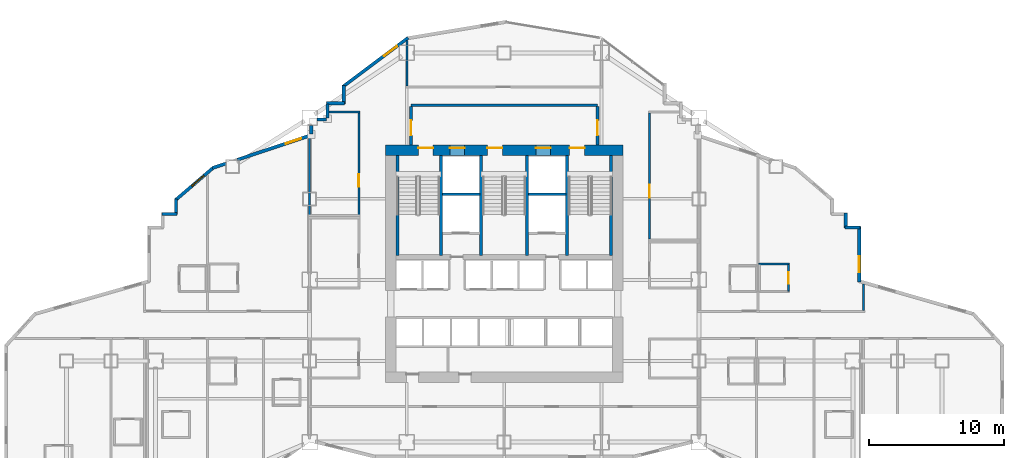
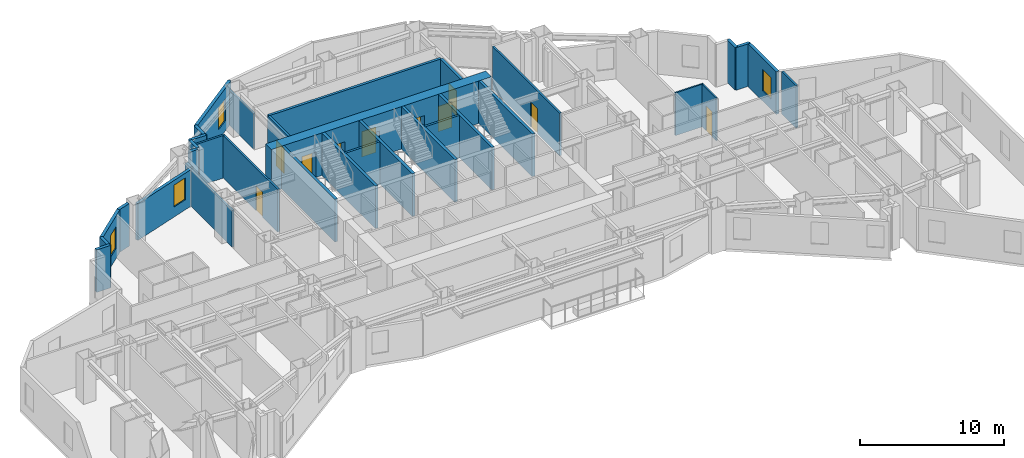
# One storey, part 10 of 17: 34 walls, 10 doors, 4 windows, 14 openings.
"""IFC4 building model written with IfcOpenShell, lengths in metres."""

from ifc_helpers import new_model, si_unit, direction, frame, frame_2d, origin, place, context, subcontext, project, spatial, rectangle, extrude, material, layer, layer_set, type_object, element, fill, save


model = new_model("IFC4")

# Units and contexts
model_context = context("Model", 3, precision=1e-05, world=origin(), true_north=direction((0.0, 1.0)))
body_context = subcontext(model_context, "Body", "Model", "MODEL_VIEW")
ifc_project = project(units=[si_unit("LENGTHUNIT", "METRE"), si_unit("AREAUNIT", "SQUARE_METRE"), si_unit("VOLUMEUNIT", "CUBIC_METRE"), si_unit("PLANEANGLEUNIT", "RADIAN"), si_unit("MASSUNIT", "GRAM", prefix="KILO")], contexts=[model_context])

# Site, building, storey
site_placement = place(None, origin())
site = spatial("IfcSite", under=ifc_project, at=site_placement, CompositionType="ELEMENT")
building_placement = place(site_placement, origin())
building = spatial("IfcBuilding", under=site, at=building_placement, Name="Haolan Belvedere Tower", CompositionType="ELEMENT")
storey_placement = place(building_placement, frame((0.0, 0.0, 59.0)))
storey = spatial("IfcBuildingStorey", under=building, at=storey_placement, Name="L14", CompositionType="ELEMENT", Elevation=59.0)

# Wall, openings, doors
ifc_material_1 = material(Name="Concrete C70/85", Category="concrete")
ifc_layer_1 = layer(ifc_material_1, 0.800048828125, Name="Concrete C70/85")
ifc_layer_set_1 = layer_set([ifc_layer_1], Name="Concrete C70/85")
wall_type_1 = type_object("IfcWallType", Name="WL-CORE-800", PredefinedType="SHEAR", material=ifc_layer_set_1)
wall_1_placement = place(storey_placement, frame((29.60009765625, 43.199951171875, 0.0), z_axis=(0.0, 0.0, 1.0), x_axis=(1.0, 0.0, 0.0)))
wall_1 = element("IfcWall", 1, at=wall_1_placement, inside=storey, type_object=wall_type_1, Name="L14 central core north shear wall", PredefinedType="SHEAR", context=body_context, shape_type="SweptSolid", body=[
    extrude(rectangle(XDim=17.599853515625, YDim=0.800048828125, at=frame_2d((8.7998046875, 0.0))), origin(), (0.0, 0.0, 1.0), 3.60009765625),
])
opening_1_placement = place(wall_1_placement, frame((2.449951171875, 0.0, 0.0)))
opening_1 = element("IfcOpeningElement", 2, at=opening_1_placement, cuts=wall_1, Name="Opening FD-03", PredefinedType="OPENING", context=body_context, shape_type="SweptSolid", body=[
    extrude(rectangle(XDim=1.10009765625, YDim=2.14990234375, at=frame_2d((0.550048828125, 1.074951171875))), frame((0.0, 0.409912109375, 0.0), z_axis=(0.0, -1.0, 0.0), x_axis=(1.0, 0.0, 0.0)), (0.0, 0.0, 1.0), 0.820068359375),
])
opening_2_placement = place(wall_1_placement, frame((7.56005859375, 0.0, 0.0)))
opening_2 = element("IfcOpeningElement", 3, at=opening_2_placement, cuts=wall_1, Name="Opening FD-03", PredefinedType="OPENING", context=body_context, shape_type="SweptSolid", body=[
    extrude(rectangle(XDim=1.10009765625, YDim=2.14990234375, at=frame_2d((0.550048828125, 1.074951171875))), frame((0.0, 0.409912109375, 0.0), z_axis=(0.0, -1.0, 0.0), x_axis=(1.0, 0.0, 0.0)), (0.0, 0.0, 1.0), 0.820068359375),
])
opening_3_placement = place(wall_1_placement, frame((13.64990234375, 0.0, 0.0)))
opening_3 = element("IfcOpeningElement", 4, at=opening_3_placement, cuts=wall_1, Name="Opening FD-03", PredefinedType="OPENING", context=body_context, shape_type="SweptSolid", body=[
    extrude(rectangle(XDim=1.10009765625, YDim=2.14990234375, at=frame_2d((0.550048828125, 1.074951171875))), frame((0.0, 0.409912109375, 0.0), z_axis=(0.0, -1.0, 0.0), x_axis=(1.0, 0.0, 0.0)), (0.0, 0.0, 1.0), 0.820068359375),
])
opening_4_placement = place(wall_1_placement, frame((4.780029296875, 0.0, 0.0)))
opening_4 = element("IfcOpeningElement", 5, at=opening_4_placement, cuts=wall_1, Name="Opening LD-01", PredefinedType="OPENING", context=body_context, shape_type="SweptSolid", body=[
    extrude(rectangle(XDim=1.10009765625, YDim=2.199951171875, at=frame_2d((0.550048828125, 1.10009765625))), frame((0.0, 0.409912109375, 0.0), z_axis=(0.0, -1.0, 0.0), x_axis=(1.0, 0.0, 0.0)), (0.0, 0.0, 1.0), 0.820068359375),
])
opening_5_placement = place(wall_1_placement, frame((11.139892578125, 0.0, 0.0)))
opening_5 = element("IfcOpeningElement", 6, at=opening_5_placement, cuts=wall_1, Name="Opening LD-01", PredefinedType="OPENING", context=body_context, shape_type="SweptSolid", body=[
    extrude(rectangle(XDim=1.10009765625, YDim=2.199951171875, at=frame_2d((0.550048828125, 1.10009765625))), frame((0.0, 0.409912109375, 0.0), z_axis=(0.0, -1.0, 0.0), x_axis=(1.0, 0.0, 0.0)), (0.0, 0.0, 1.0), 0.820068359375),
])
ifc_material_2 = material(Name="Galvanised fire-rated steel", Category="steel")
door_type_1 = type_object("IfcDoorType", Name="DR-FD90-1100", OperationType="NOTDEFINED", PredefinedType="DOOR", material=ifc_material_2)
door_1_placement = place(opening_1_placement, origin())
door_1 = element("IfcDoor", 7, at=door_1_placement, inside=storey, type_object=door_type_1, Name="L14 door CD-L14-ST1", OperationType="SINGLE_SWING_LEFT", OverallHeight=2.14990234375, OverallWidth=1.10009765625, PredefinedType="DOOR", context=body_context, shape_type="SweptSolid", body=[
    extrude(rectangle(XDim=1.10009765625, YDim=2.14990234375, at=frame_2d((0.550048828125, 1.074951171875))), frame((0.0, 0.18505859375, 0.0), z_axis=(0.0, -1.0, 0.0), x_axis=(1.0, 0.0, 0.0)), (0.0, 0.0, 1.0), 0.050048828125),
])
fill(opening_1, door_1)
door_2_placement = place(opening_2_placement, origin())
door_2 = element("IfcDoor", 8, at=door_2_placement, inside=storey, type_object=door_type_1, Name="L14 door CD-L14-ST3", OperationType="SINGLE_SWING_LEFT", OverallHeight=2.14990234375, OverallWidth=1.10009765625, PredefinedType="DOOR", context=body_context, shape_type="SweptSolid", body=[
    extrude(rectangle(XDim=1.10009765625, YDim=2.14990234375, at=frame_2d((0.550048828125, 1.074951171875))), frame((0.0, 0.18505859375, 0.0), z_axis=(0.0, -1.0, 0.0), x_axis=(1.0, 0.0, 0.0)), (0.0, 0.0, 1.0), 0.050048828125),
])
fill(opening_2, door_2)
door_3_placement = place(opening_3_placement, origin())
door_3 = element("IfcDoor", 9, at=door_3_placement, inside=storey, type_object=door_type_1, Name="L14 door CD-L14-ST2", OperationType="SINGLE_SWING_RIGHT", OverallHeight=2.14990234375, OverallWidth=1.10009765625, PredefinedType="DOOR", context=body_context, shape_type="SweptSolid", body=[
    extrude(rectangle(XDim=1.10009765625, YDim=2.14990234375, at=frame_2d((0.550048828125, 1.074951171875))), frame((0.0, 0.18505859375, 0.0), z_axis=(0.0, -1.0, 0.0), x_axis=(1.0, 0.0, 0.0)), (0.0, 0.0, 1.0), 0.050048828125),
])
fill(opening_3, door_3)
ifc_material_3 = material(Name="Brushed champagne stainless steel 316L", Category="steel")
door_type_2 = type_object("IfcDoorType", Name="DR-LIFT-1100", OperationType="SLIDING_TO_LEFT", PredefinedType="DOOR", material=ifc_material_3)
door_4_placement = place(opening_4_placement, origin())
door_4 = element("IfcDoor", 10, at=door_4_placement, inside=storey, type_object=door_type_2, Name="L14 door LD-L14-FF1", OperationType="SLIDING_TO_LEFT", OverallHeight=2.199951171875, OverallWidth=1.10009765625, PredefinedType="DOOR", context=body_context, shape_type="SweptSolid", body=[
    extrude(rectangle(XDim=1.10009765625, YDim=2.199951171875, at=frame_2d((0.550048828125, 1.10009765625))), frame((0.0, 0.18505859375, 0.0), z_axis=(0.0, -1.0, 0.0), x_axis=(1.0, 0.0, 0.0)), (0.0, 0.0, 1.0), 0.050048828125),
])
fill(opening_4, door_4)
door_5_placement = place(opening_5_placement, origin())
door_5 = element("IfcDoor", 11, at=door_5_placement, inside=storey, type_object=door_type_2, Name="L14 door LD-L14-FF2", OperationType="SLIDING_TO_LEFT", OverallHeight=2.199951171875, OverallWidth=1.10009765625, PredefinedType="DOOR", context=body_context, shape_type="SweptSolid", body=[
    extrude(rectangle(XDim=1.10009765625, YDim=2.199951171875, at=frame_2d((0.550048828125, 1.10009765625))), frame((0.0, 0.18505859375, 0.0), z_axis=(0.0, -1.0, 0.0), x_axis=(1.0, 0.0, 0.0)), (0.0, 0.0, 1.0), 0.050048828125),
])
fill(opening_5, door_5)

# Wall, opening, window
ifc_material_4 = material(Name="Precast concrete C40/50", Category="concrete")
ifc_layer_2 = layer(ifc_material_4, 0.239990234375, Name="Precast concrete C40/50")
ifc_layer_set_2 = layer_set([ifc_layer_2], Name="Precast concrete C40/50")
wall_type_2 = type_object("IfcWallType", Name="WL-EXT-240", PredefinedType="SOLIDWALL", material=ifc_layer_set_2)
wall_2_placement = place(storey_placement, frame((64.679931640625, 33.45458984375, 0.0), z_axis=(0.0, 0.0, 1.0), x_axis=(0.0, 1.0, 0.0)))
wall_2 = element("IfcWall", 12, at=wall_2_placement, inside=storey, type_object=wall_type_2, Name="L14 pale-metal exterior spandrel wall 29.1", PredefinedType="SOLIDWALL", context=body_context, shape_type="SweptSolid", body=[
    extrude(rectangle(XDim=4.080322265625, YDim=0.239990234375, at=frame_2d((2.0400390625, 0.0))), origin(), (0.0, 0.0, 1.0), 3.60009765625),
])
opening_6_placement = place(wall_2_placement, frame((0.699951171875, 0.0, 0.85009765625)))
opening_6 = element("IfcOpeningElement", 13, at=opening_6_placement, cuts=wall_2, Name="Opening W-01", PredefinedType="OPENING", context=body_context, shape_type="SweptSolid", body=[
    extrude(rectangle(XDim=1.199951171875, YDim=1.85009765625, at=frame_2d((0.60009765625, 0.925048828125))), frame((0.0, 0.1298828125, 0.0), z_axis=(0.0, -1.0, 0.0), x_axis=(1.0, 0.0, 0.0)), (0.0, 0.0, 1.0), 0.260009765625),
])
ifc_material_5 = material(Name="Anodised aluminium 6063-T6 and Low-E glass", Category="aluminium")
window_type = type_object("IfcWindowType", Name="WN-DECO-Z1", PartitioningType="SINGLE_PANEL", PredefinedType="WINDOW", material=ifc_material_5)
window_1_placement = place(opening_6_placement, origin())
window_1 = element("IfcWindow", 14, at=window_1_placement, inside=storey, type_object=window_type, Name="L14 Art Deco chevron window 1", OverallHeight=1.85009765625, OverallWidth=1.199951171875, PartitioningType="SINGLE_PANEL", PredefinedType="WINDOW", context=body_context, shape_type="SweptSolid", body=[
    extrude(rectangle(XDim=1.199951171875, YDim=1.85009765625, at=frame_2d((0.60009765625, 0.925048828125))), frame((0.0, 0.030029296875, 0.0), z_axis=(0.0, -1.0, 0.0), x_axis=(1.0, 0.0, 0.0)), (0.0, 0.0, 1.0), 0.06005859375),
])
fill(opening_6, window_1)

# Walls
wall_3_placement = place(storey_placement, frame((64.735107421875, 37.47998046875, 0.0), z_axis=(0.0, 0.0, 1.0), x_axis=(-1.0, 0.0, 0.0)))
element("IfcWall", 15, at=wall_3_placement, inside=storey, type_object=wall_type_2, Name="L14 pale-metal exterior spandrel wall 30.1", PredefinedType="SOLIDWALL", context=body_context, shape_type="SweptSolid", body=[
    extrude(rectangle(XDim=1.110107421875, YDim=0.239990234375, at=frame_2d((0.55517578125, 0.0))), origin(), (0.0, 0.0, 1.0), 3.60009765625),
])
wall_4_placement = place(storey_placement, frame((63.679931640625, 37.425048828125, 0.0), z_axis=(0.0, 0.0, 1.0), x_axis=(0.0, 1.0, 0.0)))
element("IfcWall", 16, at=wall_4_placement, inside=storey, type_object=wall_type_2, Name="L14 pale-metal exterior spandrel wall 31.1", PredefinedType="SOLIDWALL", context=body_context, shape_type="SweptSolid", body=[
    extrude(rectangle(XDim=1.10986328125, YDim=0.239990234375, at=frame_2d((0.554931640625, 0.0))), origin(), (0.0, 0.0, 1.0), 3.60009765625),
])

# Wall, opening, window
wall_5_placement = place(storey_placement, frame((31.29248046875, 51.519287109375, 0.0), z_axis=(0.0, 0.0, 1.0), x_axis=(-0.8, -0.6, 0.0)))
wall_5 = element("IfcWall", 17, at=wall_5_placement, inside=storey, type_object=wall_type_2, Name="L14 pale-metal exterior spandrel wall 44.1", PredefinedType="SOLIDWALL", context=body_context, shape_type="SweptSolid", body=[
    extrude(rectangle(XDim=6.0205078125, YDim=0.239990234375, at=frame_2d((3.01025390625, 0.0))), origin(), (0.0, 0.0, 1.0), 3.60009765625),
])
opening_7_placement = place(wall_5_placement, frame((1.047119140625, 0.0, 0.85009765625)))
opening_7 = element("IfcOpeningElement", 18, at=opening_7_placement, cuts=wall_5, Name="Opening W-01", PredefinedType="OPENING", context=body_context, shape_type="SweptSolid", body=[
    extrude(rectangle(XDim=1.199951171875, YDim=1.85009765625, at=frame_2d((0.60009765625, 0.925048828125))), frame((0.0, 0.1298828125, 0.0), z_axis=(0.0, -1.0, 0.0), x_axis=(1.0, 0.0, 0.0)), (0.0, 0.0, 1.0), 0.260009765625),
])
window_2_placement = place(opening_7_placement, origin())
window_2 = element("IfcWindow", 19, at=window_2_placement, inside=storey, type_object=window_type, Name="L14 Art Deco chevron window 1", OverallHeight=1.85009765625, OverallWidth=1.199951171875, PartitioningType="SINGLE_PANEL", PredefinedType="WINDOW", context=body_context, shape_type="SweptSolid", body=[
    extrude(rectangle(XDim=1.199951171875, YDim=1.85009765625, at=frame_2d((0.60009765625, 0.925048828125))), frame((0.0, 0.030029296875, 0.0), z_axis=(0.0, -1.0, 0.0), x_axis=(1.0, 0.0, 0.0)), (0.0, 0.0, 1.0), 0.06005859375),
])
fill(opening_7, window_2)

# Walls
wall_6_placement = place(storey_placement, frame((26.52001953125, 47.9951171875, 0.0), z_axis=(0.0, 0.0, 1.0), x_axis=(0.0, -1.0, 0.0)))
element("IfcWall", 20, at=wall_6_placement, inside=storey, type_object=wall_type_2, Name="L14 pale-metal exterior spandrel wall 45.1", PredefinedType="SOLIDWALL", context=body_context, shape_type="SweptSolid", body=[
    extrude(rectangle(XDim=1.3701171875, YDim=0.239990234375, at=frame_2d((0.68505859375, 0.0))), origin(), (0.0, 0.0, 1.0), 3.60009765625),
])
wall_7_placement = place(storey_placement, frame((26.574951171875, 46.679931640625, 0.0), z_axis=(0.0, 0.0, 1.0), x_axis=(-1.0, 0.0, 0.0)))
element("IfcWall", 21, at=wall_7_placement, inside=storey, type_object=wall_type_2, Name="L14 pale-metal exterior spandrel wall 46.1", PredefinedType="SOLIDWALL", context=body_context, shape_type="SweptSolid", body=[
    extrude(rectangle(XDim=1.31005859375, YDim=0.239990234375, at=frame_2d((0.655029296875, 0.0))), origin(), (0.0, 0.0, 1.0), 3.60009765625),
])
wall_8_placement = place(storey_placement, frame((25.320068359375, 46.614990234375, 0.0), z_axis=(0.0, 0.0, 1.0), x_axis=(0.0, -1.0, 0.0)))
element("IfcWall", 22, at=wall_8_placement, inside=storey, type_object=wall_type_2, Name="L14 pale-metal exterior spandrel wall 47.1", PredefinedType="SOLIDWALL", context=body_context, shape_type="SweptSolid", body=[
    extrude(rectangle(XDim=1.050048828125, YDim=0.239990234375, at=frame_2d((0.52490234375, 0.0))), origin(), (0.0, 0.0, 1.0), 3.60009765625),
])
wall_9_placement = place(storey_placement, frame((25.235107421875, 45.47998046875, 0.0), z_axis=(0.0, 0.0, 1.0), x_axis=(-1.0, 0.0, 0.0)))
element("IfcWall", 23, at=wall_9_placement, inside=storey, type_object=wall_type_2, Name="L14 pale-metal exterior spandrel wall 48.1", PredefinedType="SOLIDWALL", context=body_context, shape_type="SweptSolid", body=[
    extrude(rectangle(XDim=0.668212890625, YDim=0.239990234375, at=frame_2d((0.333984375, 0.0))), origin(), (0.0, 0.0, 1.0), 3.60009765625),
])
wall_10_placement = place(storey_placement, frame((24.1201171875, 45.032958984375, 0.0), z_axis=(0.0, 0.0, 1.0), x_axis=(0.0, -1.0, 0.0)))
element("IfcWall", 24, at=wall_10_placement, inside=storey, type_object=wall_type_2, Name="L14 pale-metal exterior spandrel wall 49.1", PredefinedType="SOLIDWALL", context=body_context, shape_type="SweptSolid", body=[
    extrude(rectangle(XDim=0.634521484375, YDim=0.239990234375, at=frame_2d((0.3173828125, 0.0))), origin(), (0.0, 0.0, 1.0), 3.096923828125),
])

# Wall, opening, window
wall_11_placement = place(storey_placement, frame((24.039306640625, 44.28662109375, 0.0), z_axis=(0.0, 0.0, 1.0), x_axis=(-0.948678995954, -0.316240672014, 0.0)))
wall_11 = element("IfcWall", 25, at=wall_11_placement, inside=storey, type_object=wall_type_2, Name="L14 pale-metal exterior spandrel wall 50.1", PredefinedType="SOLIDWALL", context=body_context, shape_type="SweptSolid", body=[
    extrude(rectangle(XDim=5.675048828125, YDim=0.239990234375, at=frame_2d((2.83740234375, 0.0))), origin(), (0.0, 0.0, 1.0), 3.096923828125),
])
opening_8_placement = place(wall_11_placement, frame((0.699951171875, 0.0, 0.85009765625)))
opening_8 = element("IfcOpeningElement", 26, at=opening_8_placement, cuts=wall_11, Name="Opening W-01", PredefinedType="OPENING", context=body_context, shape_type="SweptSolid", body=[
    extrude(rectangle(XDim=1.199951171875, YDim=1.85009765625, at=frame_2d((0.60009765625, 0.925048828125))), frame((0.0, 0.1298828125, 0.0), z_axis=(0.0, -1.0, 0.0), x_axis=(1.0, 0.0, 0.0)), (0.0, 0.0, 1.0), 0.260009765625),
])
window_3_placement = place(opening_8_placement, origin())
window_3 = element("IfcWindow", 27, at=window_3_placement, inside=storey, type_object=window_type, Name="L14 Art Deco chevron window 1", OverallHeight=1.85009765625, OverallWidth=1.199951171875, PartitioningType="SINGLE_PANEL", PredefinedType="WINDOW", context=body_context, shape_type="SweptSolid", body=[
    extrude(rectangle(XDim=1.199951171875, YDim=1.85009765625, at=frame_2d((0.60009765625, 0.925048828125))), frame((0.0, 0.030029296875, 0.0), z_axis=(0.0, -1.0, 0.0), x_axis=(1.0, 0.0, 0.0)), (0.0, 0.0, 1.0), 0.06005859375),
])
fill(opening_8, window_3)

# Wall
wall_12_placement = place(storey_placement, frame((17.80810546875, 42.20947265625, 0.0), z_axis=(0.0, 0.0, 1.0), x_axis=(-0.948706457285, -0.316158279832, 0.0)))
element("IfcWall", 28, at=wall_12_placement, inside=storey, type_object=wall_type_2, Name="L14 pale-metal exterior spandrel wall 50.2", PredefinedType="SOLIDWALL", context=body_context, shape_type="SweptSolid", body=[
    extrude(rectangle(XDim=1.053955078125, YDim=0.239990234375, at=frame_2d((0.52685546875, 0.0))), origin(), (0.0, 0.0, 1.0), 3.60009765625),
])

# Wall, opening, window
wall_13_placement = place(storey_placement, frame((16.902099609375, 41.929443359375, 0.0), z_axis=(0.0, 0.0, 1.0), x_axis=(-0.759275136126, -0.650769750112, 0.0)))
wall_13 = element("IfcWall", 29, at=wall_13_placement, inside=storey, type_object=wall_type_2, Name="L14 pale-metal exterior spandrel wall 51.1", PredefinedType="SOLIDWALL", context=body_context, shape_type="SweptSolid", body=[
    extrude(rectangle(XDim=3.71923828125, YDim=0.239990234375, at=frame_2d((1.859619140625, 0.0))), origin(), (0.0, 0.0, 1.0), 3.60009765625),
])
opening_9_placement = place(wall_13_placement, frame((0.93359375, 0.0, 0.85009765625)))
opening_9 = element("IfcOpeningElement", 30, at=opening_9_placement, cuts=wall_13, Name="Opening W-01", PredefinedType="OPENING", context=body_context, shape_type="SweptSolid", body=[
    extrude(rectangle(XDim=1.199951171875, YDim=1.85009765625, at=frame_2d((0.60009765625, 0.925048828125))), frame((0.0, 0.1298828125, 0.0), z_axis=(0.0, -1.0, 0.0), x_axis=(1.0, 0.0, 0.0)), (0.0, 0.0, 1.0), 0.260009765625),
])
window_4_placement = place(opening_9_placement, origin())
window_4 = element("IfcWindow", 31, at=window_4_placement, inside=storey, type_object=window_type, Name="L14 Art Deco chevron window 1", OverallHeight=1.85009765625, OverallWidth=1.199951171875, PartitioningType="SINGLE_PANEL", PredefinedType="WINDOW", context=body_context, shape_type="SweptSolid", body=[
    extrude(rectangle(XDim=1.199951171875, YDim=1.85009765625, at=frame_2d((0.60009765625, 0.925048828125))), frame((0.0, 0.030029296875, 0.0), z_axis=(0.0, -1.0, 0.0), x_axis=(1.0, 0.0, 0.0)), (0.0, 0.0, 1.0), 0.06005859375),
])
fill(opening_9, window_4)

# Walls
wall_14_placement = place(storey_placement, frame((14.1201171875, 39.599853515625, 0.0), z_axis=(0.0, 0.0, 1.0), x_axis=(0.0, -1.0, 0.0)))
element("IfcWall", 32, at=wall_14_placement, inside=storey, type_object=wall_type_2, Name="L14 pale-metal exterior spandrel wall 52.1", PredefinedType="SOLIDWALL", context=body_context, shape_type="SweptSolid", body=[
    extrude(rectangle(XDim=1.1748046875, YDim=0.239990234375, at=frame_2d((0.58740234375, 0.0))), origin(), (0.0, 0.0, 1.0), 3.60009765625),
])
wall_15_placement = place(storey_placement, frame((14.175048828125, 38.47998046875, 0.0), z_axis=(0.0, 0.0, 1.0), x_axis=(-1.0, 0.0, 0.0)))
element("IfcWall", 33, at=wall_15_placement, inside=storey, type_object=wall_type_2, Name="L14 pale-metal exterior spandrel wall 53.1", PredefinedType="SOLIDWALL", context=body_context, shape_type="SweptSolid", body=[
    extrude(rectangle(XDim=1.110107421875, YDim=0.239990234375, at=frame_2d((0.55517578125, 0.0))), origin(), (0.0, 0.0, 1.0), 3.60009765625),
])
ifc_material_6 = material(Name="Concrete C40/50", Category="concrete")
ifc_layer_3 = layer(ifc_material_6, 0.199951171875, Name="Concrete C40/50")
ifc_layer_set_3 = layer_set([ifc_layer_3], Name="Concrete C40/50")
wall_type_3 = type_object("IfcWallType", Name="WL-FIRE-200", PredefinedType="SOLIDWALL", material=ifc_layer_set_3)
wall_16_placement = place(storey_placement, frame((31.5, 46.52001953125, 0.0), z_axis=(0.0, 0.0, 1.0), x_axis=(1.0, 0.0, 0.0)))
element("IfcWall", 34, at=wall_16_placement, inside=storey, type_object=wall_type_3, Name="L14 interior partition IW-L14-FFL-N", PredefinedType="SOLIDWALL", context=body_context, shape_type="SweptSolid", body=[
    extrude(rectangle(XDim=13.800048828125, YDim=0.199951171875, at=frame_2d((6.89990234375, 0.0))), origin(), (0.0, 0.0, 1.0), 3.60009765625),
])

# Wall, opening, door
wall_17_placement = place(storey_placement, frame((31.5, 43.60009765625, 0.0), z_axis=(0.0, 0.0, 1.0), x_axis=(0.0, 1.0, 0.0)))
wall_17 = element("IfcWall", 35, at=wall_17_placement, inside=storey, type_object=wall_type_3, Name="L14 interior partition IW-L14-FFL-W", PredefinedType="SOLIDWALL", context=body_context, shape_type="SweptSolid", body=[
    extrude(rectangle(XDim=2.8349609375, YDim=0.199951171875, at=frame_2d((1.41748046875, 0.0))), origin(), (0.0, 0.0, 1.0), 3.60009765625),
])
opening_10_placement = place(wall_17_placement, frame((1.800048828125, 0.0, 0.0), z_axis=(0.0, 0.0, 1.0), x_axis=(-1.0, 0.0, 0.0)))
opening_10 = element("IfcOpeningElement", 36, at=opening_10_placement, cuts=wall_17, Name="Opening FD-03", PredefinedType="OPENING", context=body_context, shape_type="SweptSolid", body=[
    extrude(rectangle(XDim=1.10009765625, YDim=2.14990234375, at=frame_2d((0.550048828125, 1.074951171875))), frame((0.0, 0.10986328125, 0.0), z_axis=(0.0, -1.0, 0.0), x_axis=(1.0, 0.0, 0.0)), (0.0, 0.0, 1.0), 0.219970703125),
])
door_6_placement = place(opening_10_placement, origin())
door_6 = element("IfcDoor", 37, at=door_6_placement, inside=storey, type_object=door_type_1, Name="L14 door ID-L14-FFL-DW", OperationType="SINGLE_SWING_LEFT", OverallHeight=2.14990234375, OverallWidth=1.10009765625, PredefinedType="DOOR", context=body_context, shape_type="SweptSolid", body=[
    extrude(rectangle(XDim=1.10009765625, YDim=2.14990234375, at=frame_2d((0.550048828125, 1.074951171875))), frame((0.0, 0.02490234375, 0.0), z_axis=(0.0, -1.0, 0.0), x_axis=(1.0, 0.0, 0.0)), (0.0, 0.0, 1.0), 0.050048828125),
])
fill(opening_10, door_6)

wall_18_placement = place(storey_placement, frame((45.300048828125, 43.60009765625, 0.0), z_axis=(0.0, 0.0, 1.0), x_axis=(0.0, 1.0, 0.0)))
wall_18 = element("IfcWall", 38, at=wall_18_placement, inside=storey, type_object=wall_type_3, Name="L14 interior partition IW-L14-FFL-E", PredefinedType="SOLIDWALL", context=body_context, shape_type="SweptSolid", body=[
    extrude(rectangle(XDim=2.8349609375, YDim=0.199951171875, at=frame_2d((1.41748046875, 0.0))), origin(), (0.0, 0.0, 1.0), 3.60009765625),
])
opening_11_placement = place(wall_18_placement, frame((0.699951171875, 0.0, 0.0)))
opening_11 = element("IfcOpeningElement", 39, at=opening_11_placement, cuts=wall_18, Name="Opening FD-03", PredefinedType="OPENING", context=body_context, shape_type="SweptSolid", body=[
    extrude(rectangle(XDim=1.10009765625, YDim=2.14990234375, at=frame_2d((0.550048828125, 1.074951171875))), frame((0.0, 0.10986328125, 0.0), z_axis=(0.0, -1.0, 0.0), x_axis=(1.0, 0.0, 0.0)), (0.0, 0.0, 1.0), 0.219970703125),
])
door_7_placement = place(opening_11_placement, origin())
door_7 = element("IfcDoor", 40, at=door_7_placement, inside=storey, type_object=door_type_1, Name="L14 door ID-L14-FFL-DE", OperationType="SINGLE_SWING_RIGHT", OverallHeight=2.14990234375, OverallWidth=1.10009765625, PredefinedType="DOOR", context=body_context, shape_type="SweptSolid", body=[
    extrude(rectangle(XDim=1.10009765625, YDim=2.14990234375, at=frame_2d((0.550048828125, 1.074951171875))), frame((0.0, 0.02490234375, 0.0), z_axis=(0.0, -1.0, 0.0), x_axis=(1.0, 0.0, 0.0)), (0.0, 0.0, 1.0), 0.050048828125),
])
fill(opening_11, door_7)

# Walls
ifc_material_7 = material(Name="Double gypsum acoustic stud partition", Category="masonry")
ifc_layer_4 = layer(ifc_material_7, 0.14990234375, Name="Double gypsum acoustic stud partition")
ifc_layer_set_4 = layer_set([ifc_layer_4], Name="Double gypsum acoustic stud partition")
wall_type_4 = type_object("IfcWallType", Name="WL-PART-150", PredefinedType="PARTITIONING", material=ifc_layer_set_4)
wall_19_placement = place(storey_placement, frame((25.425048828125, 46.02001953125, 0.0), z_axis=(0.0, 0.0, 1.0), x_axis=(1.0, 0.0, 0.0)))
element("IfcWall", 41, at=wall_19_placement, inside=storey, type_object=wall_type_4, Name="L14 interior partition IW-L14-VLT-N", PredefinedType="PARTITIONING", context=body_context, shape_type="SweptSolid", body=[
    extrude(rectangle(XDim=2.294921875, YDim=0.14990234375, at=frame_2d((1.1474609375, 0.0))), origin(), (0.0, 0.0, 1.0), 3.60009765625),
])
wall_20_placement = place(storey_placement, frame((24.0, 38.419921875, 0.0), z_axis=(0.0, 0.0, 1.0), x_axis=(0.0, 1.0, 0.0)))
element("IfcWall", 42, at=wall_20_placement, inside=storey, type_object=wall_type_4, Name="L14 interior partition IW-L14-VLT-W", PredefinedType="PARTITIONING", context=body_context, shape_type="SweptSolid", body=[
    extrude(rectangle(XDim=5.742919921875, YDim=0.14990234375, at=frame_2d((2.87158203125, 0.0))), origin(), (0.0, 0.0, 1.0), 3.096923828125),
])

# Wall, opening, door
wall_21_placement = place(storey_placement, frame((27.639892578125, 38.419921875, 0.0), z_axis=(0.0, 0.0, 1.0), x_axis=(0.0, 1.0, 0.0)))
wall_21 = element("IfcWall", 43, at=wall_21_placement, inside=storey, type_object=wall_type_4, Name="L14 interior partition IW-L14-VLT-E", PredefinedType="PARTITIONING", context=body_context, shape_type="SweptSolid", body=[
    extrude(rectangle(XDim=7.5400390625, YDim=0.14990234375, at=frame_2d((3.77001953125, 0.0))), origin(), (0.0, 0.0, 1.0), 3.60009765625),
])
opening_12_placement = place(wall_21_placement, frame((3.010009765625, 0.0, 0.0), z_axis=(0.0, 0.0, 1.0), x_axis=(-1.0, 0.0, 0.0)))
opening_12 = element("IfcOpeningElement", 44, at=opening_12_placement, cuts=wall_21, Name="Opening ID-03", PredefinedType="OPENING", context=body_context, shape_type="SweptSolid", body=[
    extrude(rectangle(XDim=0.949951171875, YDim=2.1201171875, at=frame_2d((0.47509765625, 1.06005859375))), frame((0.0, 0.0849609375, 0.0), z_axis=(0.0, -1.0, 0.0), x_axis=(1.0, 0.0, 0.0)), (0.0, 0.0, 1.0), 0.169921875),
])
ifc_material_8 = material(Name="Painted solid-core timber", Category="wood")
door_type_3 = type_object("IfcDoorType", Name="DR-INT-950", OperationType="NOTDEFINED", PredefinedType="DOOR", material=ifc_material_8)
door_8_placement = place(opening_12_placement, origin())
door_8 = element("IfcDoor", 45, at=door_8_placement, inside=storey, type_object=door_type_3, Name="L14 door ID-L14-VLT", OperationType="SINGLE_SWING_RIGHT", OverallHeight=2.1201171875, OverallWidth=0.949951171875, PredefinedType="DOOR", context=body_context, shape_type="SweptSolid", body=[
    extrude(rectangle(XDim=0.949951171875, YDim=2.1201171875, at=frame_2d((0.47509765625, 1.06005859375))), frame((0.0, 0.02490234375, 0.0), z_axis=(0.0, -1.0, 0.0), x_axis=(1.0, 0.0, 0.0)), (0.0, 0.0, 1.0), 0.050048828125),
])
fill(opening_12, door_8)

wall_22_placement = place(storey_placement, frame((49.159912109375, 36.6201171875, 0.0), z_axis=(0.0, 0.0, 1.0), x_axis=(0.0, 1.0, 0.0)))
wall_22 = element("IfcWall", 46, at=wall_22_placement, inside=storey, type_object=wall_type_4, Name="L14 interior partition IW-L14-SAL-W", PredefinedType="PARTITIONING", context=body_context, shape_type="SweptSolid", body=[
    extrude(rectangle(XDim=9.33984375, YDim=0.14990234375, at=frame_2d((4.669921875, 0.0))), origin(), (0.0, 0.0, 1.0), 3.60009765625),
])
opening_13_placement = place(wall_22_placement, frame((3.06005859375, 0.0, 0.0)))
opening_13 = element("IfcOpeningElement", 47, at=opening_13_placement, cuts=wall_22, Name="Opening ID-03", PredefinedType="OPENING", context=body_context, shape_type="SweptSolid", body=[
    extrude(rectangle(XDim=0.949951171875, YDim=2.1201171875, at=frame_2d((0.47509765625, 1.06005859375))), frame((0.0, 0.0849609375, 0.0), z_axis=(0.0, -1.0, 0.0), x_axis=(1.0, 0.0, 0.0)), (0.0, 0.0, 1.0), 0.169921875),
])
door_9_placement = place(opening_13_placement, origin())
door_9 = element("IfcDoor", 48, at=door_9_placement, inside=storey, type_object=door_type_3, Name="L14 door ID-L14-SAL", OperationType="SINGLE_SWING_LEFT", OverallHeight=2.1201171875, OverallWidth=0.949951171875, PredefinedType="DOOR", context=body_context, shape_type="SweptSolid", body=[
    extrude(rectangle(XDim=0.949951171875, YDim=2.1201171875, at=frame_2d((0.47509765625, 1.06005859375))), frame((0.0, 0.02490234375, 0.0), z_axis=(0.0, -1.0, 0.0), x_axis=(1.0, 0.0, 0.0)), (0.0, 0.0, 1.0), 0.050048828125),
])
fill(opening_13, door_9)

# Walls
wall_23_placement = place(storey_placement, frame((31.199951171875, 47.93994140625, 0.0), z_axis=(0.0, 0.0, 1.0), x_axis=(0.0, 1.0, 0.0)))
element("IfcWall", 49, at=wall_23_placement, inside=storey, type_object=wall_type_4, Name="L14 interior partition IW-L14-KN2-W", PredefinedType="PARTITIONING", context=body_context, shape_type="SweptSolid", body=[
    extrude(rectangle(XDim=3.378662109375, YDim=0.14990234375, at=frame_2d((1.689453125, 0.0))), origin(), (0.0, 0.0, 1.0), 2.985107421875),
])
wall_24_placement = place(storey_placement, frame((65.0, 31.340087890625, 0.0), z_axis=(0.0, 0.0, 1.0), x_axis=(0.0, 1.0, 0.0)))
element("IfcWall", 50, at=wall_24_placement, inside=storey, type_object=wall_type_4, Name="L14 interior partition IW-L14-T4N2-E", PredefinedType="PARTITIONING", context=body_context, shape_type="SweptSolid", body=[
    extrude(rectangle(XDim=1.968505859375, YDim=0.14990234375, at=frame_2d((0.984375, 0.0))), origin(), (0.0, 0.0, 1.0), 3.60009765625),
])
ifc_layer_5 = layer(ifc_material_4, 0.179931640625, Name="Precast concrete C40/50")
ifc_layer_set_5 = layer_set([ifc_layer_5], Name="Precast concrete C40/50")
wall_type_5 = type_object("IfcWallType", Name="WL-SHAFT-180", PredefinedType="SOLIDWALL", material=ifc_layer_set_5)
for number, where, z_axis, x_axis, name in (
    (51, (33.8349609375, 39.949951171875, 0.0), (0.0, 0.0, 1.0), (1.0, 0.0, 0.0), "L14 interior partition IW-L14-FF1-S"),
    (52, (40.195068359375, 39.949951171875, 0.0), (0.0, 0.0, 1.0), (1.0, 0.0, 0.0), "L14 interior partition IW-L14-FF2-S"),
):
    element("IfcWall", number, at=place(storey_placement, frame(where, z_axis=z_axis, x_axis=x_axis)), inside=storey, type_object=wall_type_5, Name=name, PredefinedType="SOLIDWALL", context=body_context, shape_type="SweptSolid", body=[
        extrude(rectangle(XDim=2.77001953125, YDim=0.179931640625, at=frame_2d((1.385009765625, 0.0))), origin(), (0.0, 0.0, 1.0), 3.60009765625),
    ])
ifc_material_9 = material(Name="Concrete C50/60", Category="concrete")
ifc_layer_6 = layer(ifc_material_9, 0.219970703125, Name="Concrete C50/60")
ifc_layer_set_6 = layer_set([ifc_layer_6], Name="Concrete C50/60")
wall_type_6 = type_object("IfcWallType", Name="WL-STAIR-220", PredefinedType="SHEAR", material=ifc_layer_set_6)
for number, where, z_axis, x_axis, name in (
    (53, (30.511962890625, 35.389892578125, 0.0), (0.0, 0.0, 1.0), (0.0, 1.0, 0.0), "L14 structural stair core wall ST1W"),
    (54, (33.739990234375, 35.389892578125, 0.0), (0.0, 0.0, 1.0), (0.0, 1.0, 0.0), "L14 structural stair core wall ST1E"),
    (55, (36.699951171875, 35.389892578125, 0.0), (0.0, 0.0, 1.0), (0.0, 1.0, 0.0), "L14 structural stair core wall ST3W"),
    (56, (40.10009765625, 35.389892578125, 0.0), (0.0, 0.0, 1.0), (0.0, 1.0, 0.0), "L14 structural stair core wall ST3E"),
    (57, (43.06005859375, 35.389892578125, 0.0), (0.0, 0.0, 1.0), (0.0, 1.0, 0.0), "L14 structural stair core wall ST2W"),
    (58, (46.2880859375, 35.389892578125, 0.0), (0.0, 0.0, 1.0), (0.0, 1.0, 0.0), "L14 structural stair core wall ST2E"),
):
    element("IfcWall", number, at=place(storey_placement, frame(where, z_axis=z_axis, x_axis=x_axis)), inside=storey, type_object=wall_type_6, Name=name, PredefinedType="SHEAR", context=body_context, shape_type="SweptSolid", body=[
        extrude(rectangle(XDim=7.41015625, YDim=0.219970703125, at=frame_2d((3.705078125, 0.0))), origin(), (0.0, 0.0, 1.0), 3.60009765625),
    ])
ifc_material_10 = material(Name="Moisture-resistant gypsum tile partition", Category="masonry")
ifc_layer_7 = layer(ifc_material_10, 0.1201171875, Name="Moisture-resistant gypsum tile partition")
ifc_layer_set_7 = layer_set([ifc_layer_7], Name="Moisture-resistant gypsum tile partition")
wall_type_7 = type_object("IfcWallType", Name="WL-WET-120", PredefinedType="PARTITIONING", material=ifc_layer_set_7)
wall_25_placement = place(storey_placement, frame((57.25, 34.780029296875, 0.0), z_axis=(0.0, 0.0, 1.0), x_axis=(1.0, 0.0, 0.0)))
element("IfcWall", 59, at=wall_25_placement, inside=storey, type_object=wall_type_7, Name="L14 interior partition IW-L14-T4N2-BN", PredefinedType="PARTITIONING", context=body_context, shape_type="SweptSolid", body=[
    extrude(rectangle(XDim=2.25, YDim=0.1201171875, at=frame_2d((1.125, 0.0))), origin(), (0.0, 0.0, 1.0), 3.60009765625),
])

# Wall, opening, door
wall_26_placement = place(storey_placement, frame((59.43994140625, 32.77490234375, 0.0), z_axis=(0.0, 0.0, 1.0), x_axis=(0.0, 1.0, 0.0)))
wall_26 = element("IfcWall", 60, at=wall_26_placement, inside=storey, type_object=wall_type_7, Name="L14 interior partition IW-L14-T4N2-BE", PredefinedType="PARTITIONING", context=body_context, shape_type="SweptSolid", body=[
    extrude(rectangle(XDim=1.960205078125, YDim=0.1201171875, at=frame_2d((0.97998046875, 0.0))), origin(), (0.0, 0.0, 1.0), 3.60009765625),
])
opening_14_placement = place(wall_26_placement, frame((0.554931640625, 0.0, 0.0)))
opening_14 = element("IfcOpeningElement", 61, at=opening_14_placement, cuts=wall_26, Name="Opening ID-05", PredefinedType="OPENING", context=body_context, shape_type="SweptSolid", body=[
    extrude(rectangle(XDim=0.85009765625, YDim=2.10009765625, at=frame_2d((0.425048828125, 1.050048828125))), frame((0.0, 0.070068359375, 0.0), z_axis=(0.0, -1.0, 0.0), x_axis=(1.0, 0.0, 0.0)), (0.0, 0.0, 1.0), 0.14013671875),
])
ifc_material_11 = material(Name="Moisture-resistant lacquered timber", Category="wood")
door_type_4 = type_object("IfcDoorType", Name="DR-BATH-850", OperationType="NOTDEFINED", PredefinedType="DOOR", material=ifc_material_11)
door_10_placement = place(opening_14_placement, origin())
door_10 = element("IfcDoor", 62, at=door_10_placement, inside=storey, type_object=door_type_4, Name="L14 door ID-L14-T4N2-BATH", OperationType="SINGLE_SWING_LEFT", OverallHeight=2.10009765625, OverallWidth=0.85009765625, PredefinedType="DOOR", context=body_context, shape_type="SweptSolid", body=[
    extrude(rectangle(XDim=0.85009765625, YDim=2.10009765625, at=frame_2d((0.425048828125, 1.050048828125))), frame((0.0, 0.02490234375, 0.0), z_axis=(0.0, -1.0, 0.0), x_axis=(1.0, 0.0, 0.0)), (0.0, 0.0, 1.0), 0.050048828125),
])
fill(opening_14, door_10)

save(model, "model.ifc")
